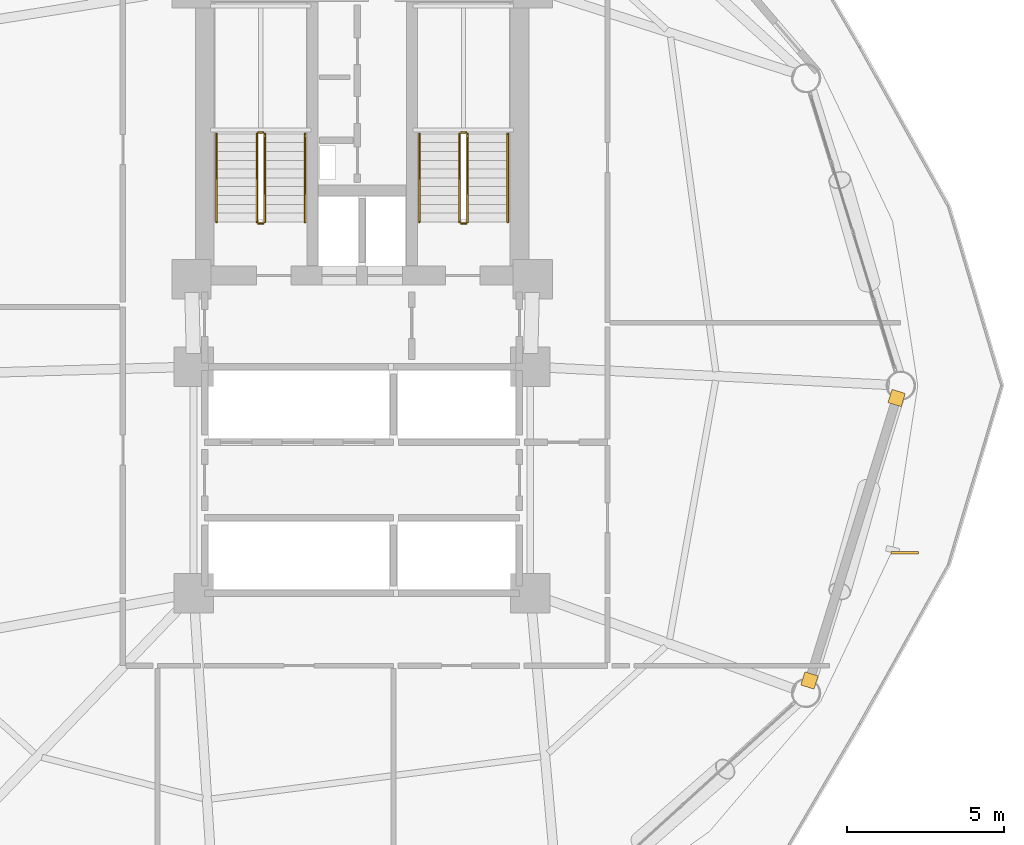
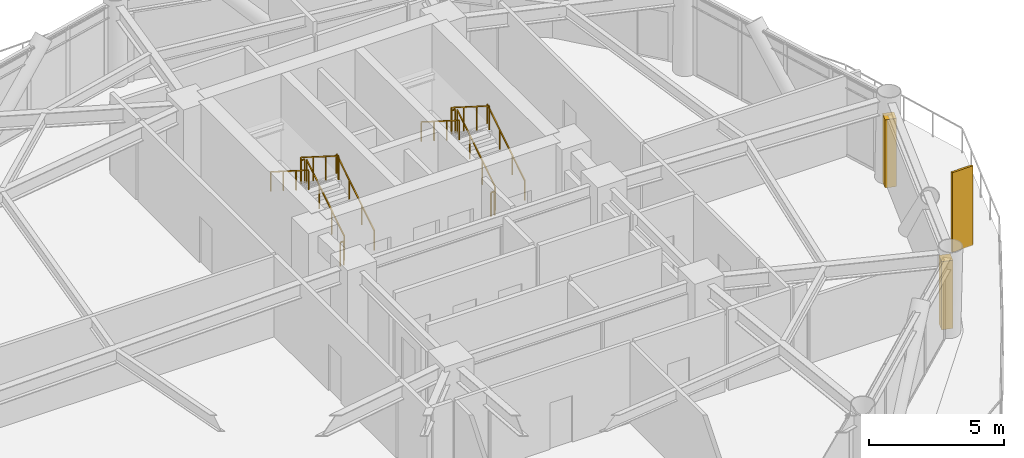
# One storey, part 21 of 22: 12 railings, 2 coverings, 1 shading device.
"""IFC4 building model written with IfcOpenShell, lengths in metres."""

import ifcopenshell
import ifcopenshell.guid

model = None  # the IFC model being written
_history = None  # IfcOwnerHistory: only IFC2X3 demands one
_inside = {}  # id of a spatial element -> (the spatial element, [elements in it])
_under = {}  # id of a project, library or spatial element -> (it, [spatial elements below it])
_declared = {}  # id of a project -> (the project, [libraries it declares])
_typed = {}  # id of a type object -> (the type object, [elements of that type])
_made_of = {}  # id of a material, layer set ... -> (it, [elements and type objects made of it])


def new_model(schema):
    """Start an empty IFC model of exactly this schema.

    Asked for "IFC4X3", IfcOpenShell would pick the latest addendum, in which some entities
    have other attributes; the version numbers below select the first issue.
    IFC2X3 requires an IfcOwnerHistory on every rooted entity: one is made here for all.
    """
    global model, _history
    if schema == "IFC4X3":
        model = ifcopenshell.file(schema_version=(4, 3, 0, 0))
    else:
        model = ifcopenshell.file(schema=schema)
    _inside.clear()
    _under.clear()
    _declared.clear()
    _typed.clear()
    _made_of.clear()
    _history = None
    if model.schema == "IFC2X3":
        org = make("IfcOrganization", Name="unknown")
        user = make(
            "IfcPersonAndOrganization",
            ThePerson=make("IfcPerson", FamilyName="unknown"),
            TheOrganization=org,
        )
        app = make(
            "IfcApplication",
            ApplicationDeveloper=org,
            Version="unknown",
            ApplicationFullName="unknown",
            ApplicationIdentifier="unknown",
        )
        _history = make(
            "IfcOwnerHistory",
            OwningUser=user,
            OwningApplication=app,
            ChangeAction="ADDED",
            CreationDate=0,
        )
    return model


def make(cls, **values):
    """One entity of the class cls with the attributes given. An attribute that is None is left unset."""
    return model.create_entity(
        cls, **{name: value for name, value in values.items() if value is not None}
    )


def rooted(cls, **values):
    """An entity with a GlobalId (a new one), such as an element, a storey or a relation."""
    return make(cls, GlobalId=ifcopenshell.guid.new(), OwnerHistory=_history, **values)


def si_unit(unit_type, name, prefix=None):
    """IfcSIUnit, for example si_unit("LENGTHUNIT", "METRE", prefix="MILLI")."""
    return make("IfcSIUnit", UnitType=unit_type, Prefix=prefix, Name=name)


def assignment(units):
    """IfcUnitAssignment: the units of a project."""
    return None if units is None else make("IfcUnitAssignment", Units=units)


def point(xyz):
    """IfcCartesianPoint."""
    return None if xyz is None else make("IfcCartesianPoint", Coordinates=xyz)


def direction(xyz):
    """IfcDirection."""
    return None if xyz is None else make("IfcDirection", DirectionRatios=xyz)


def frame(location, z_axis=None, x_axis=None):
    """IfcAxis2Placement3D, a coordinate frame: its origin and axes. An axis left out is left unset."""
    return make(
        "IfcAxis2Placement3D",
        Location=point(location),
        Axis=direction(z_axis),
        RefDirection=direction(x_axis),
    )


def frame_2d(location, x_axis=None):
    """IfcAxis2Placement2D, a coordinate frame in the plane: its origin and x axis."""
    return make(
        "IfcAxis2Placement2D", Location=point(location), RefDirection=direction(x_axis)
    )


def origin():
    """The frame at (0, 0, 0) with its axes left unset."""
    return frame((0.0, 0.0, 0.0))


def origin_2d():
    """The frame at (0, 0) in the plane with its x axis left unset."""
    return frame_2d((0.0, 0.0))


def place(relative_to, where):
    """IfcLocalPlacement: puts the frame where relative to a parent placement (None: the world)."""
    return make(
        "IfcLocalPlacement", PlacementRelTo=relative_to, RelativePlacement=where
    )


def context(
    kind, dimensions, precision=None, world=None, true_north=None, identifier=None
):
    """IfcGeometricRepresentationContext, for example the 3D "Model" context."""
    return make(
        "IfcGeometricRepresentationContext",
        ContextIdentifier=identifier,
        ContextType=kind,
        CoordinateSpaceDimension=dimensions,
        Precision=precision,
        WorldCoordinateSystem=world,
        TrueNorth=true_north,
    )


def subcontext(parent, identifier, kind, view, scale=None):
    """IfcGeometricRepresentationSubContext, for example "Body" below "Model"."""
    return make(
        "IfcGeometricRepresentationSubContext",
        ContextIdentifier=identifier,
        ContextType=kind,
        ParentContext=parent,
        TargetScale=scale,
        TargetView=view,
    )


def project(units=None, contexts=None):
    """IfcProject with its units and contexts."""
    return rooted(
        "IfcProject",
        Name="project",
        RepresentationContexts=contexts,
        UnitsInContext=assignment(units),
    )


def spatial(cls, under=None, at=None, **own):
    """A site, building, storey or space (cls), placed at a placement, below another one or the project."""
    s = rooted(cls, ObjectPlacement=at, **own)
    if under is not None:
        _under.setdefault(under.id(), (under, []))[1].append(s)
    return s


def profile(cls, at=None, kind="AREA", **sizes):
    """A parametric profile (cls). Its sizes go by their IFC names, for example OverallWidth=200.0."""
    return make(cls, ProfileType=kind, Position=at, **sizes)


def rectangle(**sizes):
    """IfcRectangleProfileDef."""
    return profile("IfcRectangleProfileDef", **sizes)


def extrude(swept, where, along, depth):
    """IfcExtrudedAreaSolid: the profile swept, set in the frame where, extruded along a direction by depth."""
    return make(
        "IfcExtrudedAreaSolid",
        SweptArea=swept,
        Position=where,
        ExtrudedDirection=direction(along),
        Depth=depth,
    )


def shape(context_of_items, identifier, shape_type, items):
    """IfcShapeRepresentation: the items that make up one representation, for example the "Body"."""
    return make(
        "IfcShapeRepresentation",
        ContextOfItems=context_of_items,
        RepresentationIdentifier=identifier,
        RepresentationType=shape_type,
        Items=items,
    )


def source(mapping_origin, context_of_items, identifier, shape_type, items):
    """IfcRepresentationMap: a shape defined once, which mapped items show again and again."""
    return make(
        "IfcRepresentationMap",
        MappingOrigin=mapping_origin,
        MappedRepresentation=shape(context_of_items, identifier, shape_type, items),
    )


def transform(
    local_origin,
    x_axis=None,
    y_axis=None,
    z_axis=None,
    scale=None,
    scale2=None,
    scale3=None,
    uniform=True,
):
    """IfcCartesianTransformationOperator3D, or its non-uniform kind. x_axis, y_axis, z_axis: its Axis1, 2, 3."""
    if uniform:
        return make(
            "IfcCartesianTransformationOperator3D",
            Axis1=direction(x_axis),
            Axis2=direction(y_axis),
            LocalOrigin=point(local_origin),
            Scale=scale,
            Axis3=direction(z_axis),
        )
    return make(
        "IfcCartesianTransformationOperator3DnonUniform",
        Axis1=direction(x_axis),
        Axis2=direction(y_axis),
        LocalOrigin=point(local_origin),
        Scale=scale,
        Axis3=direction(z_axis),
        Scale2=scale2,
        Scale3=scale3,
    )


def mapped(mapping_source, mapping_target):
    """IfcMappedItem: shows the shape of a source again, moved by a transform."""
    return make(
        "IfcMappedItem", MappingSource=mapping_source, MappingTarget=mapping_target
    )


def material(Name=None, Category=None):
    """IfcMaterial."""
    return make("IfcMaterial", Name=Name, Category=Category)


def layer(
    of_material, thickness, ventilated=None, Name=None, Category=None, Priority=None
):
    """IfcMaterialLayer: one layer of a wall or slab, of a material (None: an air gap)."""
    return make(
        "IfcMaterialLayer",
        Material=of_material,
        LayerThickness=thickness,
        IsVentilated=ventilated,
        Name=Name,
        Category=Category,
        Priority=Priority,
    )


def layer_set(layers, Name=None):
    """IfcMaterialLayerSet."""
    return make("IfcMaterialLayerSet", MaterialLayers=layers, LayerSetName=Name)


def made_of(thing, what):
    """Note that an element or type object is made of a material, layer set ...; save() writes the relation."""
    if what is not None:
        _made_of.setdefault(what.id(), (what, []))[1].append(thing)
    return thing


def type_object(cls, material=None, **own):
    """A type object (cls), such as IfcWallType, which elements share."""
    return made_of(rooted(cls, **own), material)


def type_shapes(of_type, sources):
    """Give a type object the sources (RepresentationMaps) that its elements show as mapped items."""
    of_type.RepresentationMaps = sources


def element(
    cls,
    number,
    at=None,
    inside=None,
    cuts=None,
    type_object=None,
    material=None,
    context=None,
    identifier="Body",
    shape_type=None,
    held_by="IfcProductDefinitionShape",
    body=None,
    shapes=None,
    **own,
):
    """One element of the class cls, such as IfcWall. Its Tag is "e" and its number.

    at: its placement. inside: the storey or other place that contains it. cuts: it is an
    opening in that element (IfcRelVoidsElement). A single representation is given by context,
    identifier, shape_type and body (its items); several are given by shapes. held_by: the class
    of the entity that holds the representations. save() writes the other relations.
    """
    e = rooted(cls, Tag="e%d" % number, ObjectPlacement=at, **own)
    if body is not None:
        shapes = [shape(context, identifier, shape_type, body)]
    if shapes is not None:
        e.Representation = make(held_by, Representations=shapes)
    if inside is not None:
        _inside.setdefault(inside.id(), (inside, []))[1].append(e)
    if cuts is not None:
        rooted(
            "IfcRelVoidsElement", RelatingBuildingElement=cuts, RelatedOpeningElement=e
        )
    if type_object is not None:
        _typed.setdefault(type_object.id(), (type_object, []))[1].append(e)
    return made_of(e, material)


def aggregate(whole, parts):
    """IfcRelAggregates: a whole, such as a stair, and the parts it consists of."""
    return rooted("IfcRelAggregates", RelatingObject=whole, RelatedObjects=parts)


def save(model, path):
    """Write the relations noted so far, then the file.

    IfcRelAggregates (storeys below a building ...), IfcRelContainedInSpatialStructure (elements
    in a storey), IfcRelDefinesByType, IfcRelAssociatesMaterial and IfcRelDeclares: one each for
    every whole, place, type object, material and project.
    """
    for whole, parts in _under.values():
        aggregate(whole, parts)
    for where, things in _inside.values():
        rooted(
            "IfcRelContainedInSpatialStructure",
            RelatedElements=things,
            RelatingStructure=where,
        )
    for kind, things in _typed.values():
        rooted("IfcRelDefinesByType", RelatedObjects=things, RelatingType=kind)
    for what, things in _made_of.values():
        rooted("IfcRelAssociatesMaterial", RelatedObjects=things, RelatingMaterial=what)
    for by, libraries in _declared.values():
        rooted("IfcRelDeclares", RelatingContext=by, RelatedDefinitions=libraries)
    model.write(path)


model = new_model("IFC4")

# Units and contexts
model_context = context("Model", 3, precision=1e-05, world=origin(), true_north=direction((0.0, 1.0)))
body_context = subcontext(model_context, "Body", "Model", "MODEL_VIEW")
ifc_project = project(units=[si_unit("LENGTHUNIT", "METRE"), si_unit("AREAUNIT", "SQUARE_METRE"), si_unit("VOLUMEUNIT", "CUBIC_METRE"), si_unit("PLANEANGLEUNIT", "RADIAN"), si_unit("MASSUNIT", "GRAM", prefix="KILO")], contexts=[model_context])

# Site, building, storey
site_placement = place(None, origin())
site = spatial("IfcSite", under=ifc_project, at=site_placement, CompositionType="ELEMENT")
building_placement = place(site_placement, origin())
building = spatial("IfcBuilding", under=site, at=building_placement, Name="Varnakorn Sky Granary", CompositionType="ELEMENT")
storey_placement = place(building_placement, frame((0.0, 0.0, 66.60009765625)))
storey = spatial("IfcBuildingStorey", under=building, at=storey_placement, Name="L16", CompositionType="ELEMENT", Elevation=66.60009765625)

# Railings
ifc_material_1 = material(Name="Brushed Stainless Steel 316", Category="steel")
railing_type_1 = type_object("IfcRailingType", Name="RL-STAIR-1100", PredefinedType="GUARDRAIL", material=ifc_material_1)
railing_1_placement = place(storey_placement, frame((-0.090087890625, 5.199951171875, 0.17724609375)))
element("IfcRailing", 1, at=railing_1_placement, inside=storey, type_object=railing_type_1, Name="L16 ST-1 stair guard 1", PredefinedType="GUARDRAIL", context=body_context, shape_type="SweptSolid", body=[
    extrude(rectangle(XDim=0.048095703125, YDim=0.048095703125, at=origin_2d()), frame((0.0, 0.0, 1.076171875), z_axis=(0.0, 0.844908973607, 0.534910110503), x_axis=(-1.0, 0.0, 0.0)), (0.0, 0.0, 1.0), 3.31396484375),
    extrude(rectangle(XDim=0.0419921875, YDim=0.0419921875, at=origin_2d()), origin(), (0.0, 0.0, 1.0), 1.048095703125),
    extrude(rectangle(XDim=0.0419921875, YDim=0.0419921875, at=origin_2d()), frame((0.0, 0.933349609375, 0.5908203125)), (0.0, 0.0, 1.0), 1.048095703125),
    extrude(rectangle(XDim=0.0419921875, YDim=0.0419921875, at=origin_2d()), frame((0.0, 1.86669921875, 1.181884765625)), (0.0, 0.0, 1.0), 1.048095703125),
    extrude(rectangle(XDim=0.0419921875, YDim=0.0419921875, at=origin_2d()), frame((0.0, 2.800048828125, 1.772705078125)), (0.0, 0.0, 1.0), 1.048095703125),
])
railing_2_placement = place(storey_placement, frame((-0.139892578125, 8.050048828125, 1.949951171875)))
element("IfcRailing", 2, at=railing_2_placement, inside=storey, type_object=railing_type_1, Name="L16 ST-1 stair guard 2", PredefinedType="GUARDRAIL", context=body_context, shape_type="SweptSolid", body=[
    extrude(rectangle(XDim=0.048095703125, YDim=0.048095703125, at=origin_2d()), frame((0.0, 0.0, 1.076171875), z_axis=(-1.0, 0.0, 0.0), x_axis=(0.0, -1.0, 0.0)), (0.0, 0.0, 1.0), 0.150146484375),
    extrude(rectangle(XDim=0.0419921875, YDim=0.0419921875, at=origin_2d()), origin(), (0.0, 0.0, 1.0), 1.048095703125),
    extrude(rectangle(XDim=0.0419921875, YDim=0.0419921875, at=origin_2d()), frame((-0.150146484375, 0.0, 0.0)), (0.0, 0.0, 1.0), 1.048095703125),
])
railing_3_placement = place(storey_placement, frame((-0.340087890625, 8.0, 2.127197265625)))
element("IfcRailing", 3, at=railing_3_placement, inside=storey, type_object=railing_type_1, Name="L16 ST-1 stair guard 3", PredefinedType="GUARDRAIL", context=body_context, shape_type="SweptSolid", body=[
    extrude(rectangle(XDim=0.048095703125, YDim=0.048095703125, at=origin_2d()), frame((0.0, 0.0, 1.076171875), z_axis=(0.0, -0.844908973607, 0.534910110503), x_axis=(1.0, 0.0, 0.0)), (0.0, 0.0, 1.0), 3.31396484375),
    extrude(rectangle(XDim=0.0419921875, YDim=0.0419921875, at=origin_2d()), origin(), (0.0, 0.0, 1.0), 1.048095703125),
    extrude(rectangle(XDim=0.0419921875, YDim=0.0419921875, at=origin_2d()), frame((0.0, -0.933349609375, 0.5908203125)), (0.0, 0.0, 1.0), 1.048095703125),
    extrude(rectangle(XDim=0.0419921875, YDim=0.0419921875, at=origin_2d()), frame((0.0, -1.86669921875, 1.181884765625)), (0.0, 0.0, 1.0), 1.048095703125),
    extrude(rectangle(XDim=0.0419921875, YDim=0.0419921875, at=origin_2d()), frame((0.0, -2.800048828125, 1.772705078125)), (0.0, 0.0, 1.0), 1.048095703125),
])
railing_4_placement = place(storey_placement, frame((-0.139892578125, 5.14990234375, 0.0)))
element("IfcRailing", 4, at=railing_4_placement, inside=storey, type_object=railing_type_1, Name="L16 ST-1 stair guard 4", PredefinedType="GUARDRAIL", context=body_context, shape_type="SweptSolid", body=[
    extrude(rectangle(XDim=0.048095703125, YDim=0.048095703125, at=origin_2d()), frame((0.0, 0.0, 1.076171875), z_axis=(-1.0, 0.0, 0.0), x_axis=(0.0, -1.0, 0.0)), (0.0, 0.0, 1.0), 0.150146484375),
    extrude(rectangle(XDim=0.0419921875, YDim=0.0419921875, at=origin_2d()), origin(), (0.0, 0.0, 1.0), 1.048095703125),
    extrude(rectangle(XDim=0.0419921875, YDim=0.0419921875, at=origin_2d()), frame((-0.150146484375, 0.0, 0.0)), (0.0, 0.0, 1.0), 1.048095703125),
])
railing_5_placement = place(storey_placement, frame((6.35009765625, 5.199951171875, 0.17724609375)))
element("IfcRailing", 5, at=railing_5_placement, inside=storey, type_object=railing_type_1, Name="L16 ST-2 stair guard 1", PredefinedType="GUARDRAIL", context=body_context, shape_type="SweptSolid", body=[
    extrude(rectangle(XDim=0.048095703125, YDim=0.048095703125, at=origin_2d()), frame((0.0, 0.0, 1.076171875), z_axis=(0.0, 0.844908973607, 0.534910110503), x_axis=(-1.0, 0.0, 0.0)), (0.0, 0.0, 1.0), 3.31396484375),
    extrude(rectangle(XDim=0.0419921875, YDim=0.0419921875, at=origin_2d()), origin(), (0.0, 0.0, 1.0), 1.048095703125),
    extrude(rectangle(XDim=0.0419921875, YDim=0.0419921875, at=origin_2d()), frame((0.0, 0.933349609375, 0.5908203125)), (0.0, 0.0, 1.0), 1.048095703125),
    extrude(rectangle(XDim=0.0419921875, YDim=0.0419921875, at=origin_2d()), frame((0.0, 1.86669921875, 1.181884765625)), (0.0, 0.0, 1.0), 1.048095703125),
    extrude(rectangle(XDim=0.0419921875, YDim=0.0419921875, at=origin_2d()), frame((0.0, 2.800048828125, 1.772705078125)), (0.0, 0.0, 1.0), 1.048095703125),
])
railing_6_placement = place(storey_placement, frame((6.300048828125, 8.050048828125, 1.949951171875)))
element("IfcRailing", 6, at=railing_6_placement, inside=storey, type_object=railing_type_1, Name="L16 ST-2 stair guard 2", PredefinedType="GUARDRAIL", context=body_context, shape_type="SweptSolid", body=[
    extrude(rectangle(XDim=0.048095703125, YDim=0.048095703125, at=origin_2d()), frame((0.0, 0.0, 1.076171875), z_axis=(-1.0, 0.0, 0.0), x_axis=(0.0, -1.0, 0.0)), (0.0, 0.0, 1.0), 0.150146484375),
    extrude(rectangle(XDim=0.0419921875, YDim=0.0419921875, at=origin_2d()), origin(), (0.0, 0.0, 1.0), 1.048095703125),
    extrude(rectangle(XDim=0.0419921875, YDim=0.0419921875, at=origin_2d()), frame((-0.150146484375, 0.0, 0.0)), (0.0, 0.0, 1.0), 1.048095703125),
])
railing_7_placement = place(storey_placement, frame((6.10009765625, 8.0, 2.127197265625)))
element("IfcRailing", 7, at=railing_7_placement, inside=storey, type_object=railing_type_1, Name="L16 ST-2 stair guard 3", PredefinedType="GUARDRAIL", context=body_context, shape_type="SweptSolid", body=[
    extrude(rectangle(XDim=0.048095703125, YDim=0.048095703125, at=origin_2d()), frame((0.0, 0.0, 1.076171875), z_axis=(0.0, -0.844908973607, 0.534910110503), x_axis=(1.0, 0.0, 0.0)), (0.0, 0.0, 1.0), 3.31396484375),
    extrude(rectangle(XDim=0.0419921875, YDim=0.0419921875, at=origin_2d()), origin(), (0.0, 0.0, 1.0), 1.048095703125),
    extrude(rectangle(XDim=0.0419921875, YDim=0.0419921875, at=origin_2d()), frame((0.0, -0.933349609375, 0.5908203125)), (0.0, 0.0, 1.0), 1.048095703125),
    extrude(rectangle(XDim=0.0419921875, YDim=0.0419921875, at=origin_2d()), frame((0.0, -1.86669921875, 1.181884765625)), (0.0, 0.0, 1.0), 1.048095703125),
    extrude(rectangle(XDim=0.0419921875, YDim=0.0419921875, at=origin_2d()), frame((0.0, -2.800048828125, 1.772705078125)), (0.0, 0.0, 1.0), 1.048095703125),
])
railing_8_placement = place(storey_placement, frame((6.300048828125, 5.14990234375, 0.0)))
element("IfcRailing", 8, at=railing_8_placement, inside=storey, type_object=railing_type_1, Name="L16 ST-2 stair guard 4", PredefinedType="GUARDRAIL", context=body_context, shape_type="SweptSolid", body=[
    extrude(rectangle(XDim=0.048095703125, YDim=0.048095703125, at=origin_2d()), frame((0.0, 0.0, 1.076171875), z_axis=(-1.0, 0.0, 0.0), x_axis=(0.0, -1.0, 0.0)), (0.0, 0.0, 1.0), 0.150146484375),
    extrude(rectangle(XDim=0.0419921875, YDim=0.0419921875, at=origin_2d()), origin(), (0.0, 0.0, 1.0), 1.048095703125),
    extrude(rectangle(XDim=0.0419921875, YDim=0.0419921875, at=origin_2d()), frame((-0.150146484375, 0.0, 0.0)), (0.0, 0.0, 1.0), 1.048095703125),
])
railing_type_2 = type_object("IfcRailingType", Name="RL-STAIR-920", PredefinedType="HANDRAIL", material=ifc_material_1)
railing_9_placement = place(storey_placement, frame((1.18994140625, 5.199951171875, 0.17724609375)))
element("IfcRailing", 9, at=railing_9_placement, inside=storey, type_object=railing_type_2, Name="L16 ST-1 stair handrail 1", PredefinedType="HANDRAIL", context=body_context, shape_type="SweptSolid", body=[
    extrude(rectangle(XDim=0.048095703125, YDim=0.048095703125, at=origin_2d()), frame((0.0, 0.0, 0.8759765625), z_axis=(0.0, 0.844908973607, 0.534910110503), x_axis=(-1.0, 0.0, 0.0)), (0.0, 0.0, 1.0), 3.31396484375),
    extrude(rectangle(XDim=0.0419921875, YDim=0.0419921875, at=origin_2d()), origin(), (0.0, 0.0, 1.0), 0.847900390625),
    extrude(rectangle(XDim=0.0419921875, YDim=0.0419921875, at=origin_2d()), frame((0.0, 0.933349609375, 0.5908203125)), (0.0, 0.0, 1.0), 0.847900390625),
    extrude(rectangle(XDim=0.0419921875, YDim=0.0419921875, at=origin_2d()), frame((0.0, 1.86669921875, 1.181884765625)), (0.0, 0.0, 1.0), 0.847900390625),
    extrude(rectangle(XDim=0.0419921875, YDim=0.0419921875, at=origin_2d()), frame((0.0, 2.800048828125, 1.772705078125)), (0.0, 0.0, 1.0), 0.847900390625),
])
railing_10_placement = place(storey_placement, frame((-1.6201171875, 8.0, 2.127197265625)))
element("IfcRailing", 10, at=railing_10_placement, inside=storey, type_object=railing_type_2, Name="L16 ST-1 stair handrail 2", PredefinedType="HANDRAIL", context=body_context, shape_type="SweptSolid", body=[
    extrude(rectangle(XDim=0.048095703125, YDim=0.048095703125, at=origin_2d()), frame((0.0, 0.0, 0.8759765625), z_axis=(0.0, -0.844908973607, 0.534910110503), x_axis=(1.0, 0.0, 0.0)), (0.0, 0.0, 1.0), 3.31396484375),
    extrude(rectangle(XDim=0.0419921875, YDim=0.0419921875, at=origin_2d()), origin(), (0.0, 0.0, 1.0), 0.847900390625),
    extrude(rectangle(XDim=0.0419921875, YDim=0.0419921875, at=origin_2d()), frame((0.0, -0.933349609375, 0.5908203125)), (0.0, 0.0, 1.0), 0.847900390625),
    extrude(rectangle(XDim=0.0419921875, YDim=0.0419921875, at=origin_2d()), frame((0.0, -1.86669921875, 1.181884765625)), (0.0, 0.0, 1.0), 0.847900390625),
    extrude(rectangle(XDim=0.0419921875, YDim=0.0419921875, at=origin_2d()), frame((0.0, -2.800048828125, 1.772705078125)), (0.0, 0.0, 1.0), 0.847900390625),
])
railing_11_placement = place(storey_placement, frame((7.6298828125, 5.199951171875, 0.17724609375)))
element("IfcRailing", 11, at=railing_11_placement, inside=storey, type_object=railing_type_2, Name="L16 ST-2 stair handrail 1", PredefinedType="HANDRAIL", context=body_context, shape_type="SweptSolid", body=[
    extrude(rectangle(XDim=0.048095703125, YDim=0.048095703125, at=origin_2d()), frame((0.0, 0.0, 0.8759765625), z_axis=(0.0, 0.844908973607, 0.534910110503), x_axis=(-1.0, 0.0, 0.0)), (0.0, 0.0, 1.0), 3.31396484375),
    extrude(rectangle(XDim=0.0419921875, YDim=0.0419921875, at=origin_2d()), origin(), (0.0, 0.0, 1.0), 0.847900390625),
    extrude(rectangle(XDim=0.0419921875, YDim=0.0419921875, at=origin_2d()), frame((0.0, 0.933349609375, 0.5908203125)), (0.0, 0.0, 1.0), 0.847900390625),
    extrude(rectangle(XDim=0.0419921875, YDim=0.0419921875, at=origin_2d()), frame((0.0, 1.86669921875, 1.181884765625)), (0.0, 0.0, 1.0), 0.847900390625),
    extrude(rectangle(XDim=0.0419921875, YDim=0.0419921875, at=origin_2d()), frame((0.0, 2.800048828125, 1.772705078125)), (0.0, 0.0, 1.0), 0.847900390625),
])
railing_12_placement = place(storey_placement, frame((4.820068359375, 8.0, 2.127197265625)))
element("IfcRailing", 12, at=railing_12_placement, inside=storey, type_object=railing_type_2, Name="L16 ST-2 stair handrail 2", PredefinedType="HANDRAIL", context=body_context, shape_type="SweptSolid", body=[
    extrude(rectangle(XDim=0.048095703125, YDim=0.048095703125, at=origin_2d()), frame((0.0, 0.0, 0.8759765625), z_axis=(0.0, -0.844908973607, 0.534910110503), x_axis=(1.0, 0.0, 0.0)), (0.0, 0.0, 1.0), 3.31396484375),
    extrude(rectangle(XDim=0.0419921875, YDim=0.0419921875, at=origin_2d()), origin(), (0.0, 0.0, 1.0), 0.847900390625),
    extrude(rectangle(XDim=0.0419921875, YDim=0.0419921875, at=origin_2d()), frame((0.0, -0.933349609375, 0.5908203125)), (0.0, 0.0, 1.0), 0.847900390625),
    extrude(rectangle(XDim=0.0419921875, YDim=0.0419921875, at=origin_2d()), frame((0.0, -1.86669921875, 1.181884765625)), (0.0, 0.0, 1.0), 0.847900390625),
    extrude(rectangle(XDim=0.0419921875, YDim=0.0419921875, at=origin_2d()), frame((0.0, -2.800048828125, 1.772705078125)), (0.0, 0.0, 1.0), 0.847900390625),
])

# Shading device
ifc_material_2 = material(Name="Anodised Bronze Aluminium Alloy 6063-T6", Category="aluminium")
shading_device_type = type_object("IfcShadingDeviceType", Name="SH-FIN-01", PredefinedType="USERDEFINED", material=ifc_material_2)
shared_shape_1 = source(origin(), body_context, "Body", "SweptSolid", [
    extrude(rectangle(XDim=0.0849609375, YDim=0.8798828125, at=origin_2d()), origin(), (0.0, 0.0, 1.0), 3.60009765625),
])
type_shapes(shading_device_type, [shared_shape_1])
shading_device_placement = place(storey_placement, frame((20.249755859375, -5.31201171875, -0.0400390625), z_axis=(0.0, 0.0, 1.0), x_axis=(-0.00827704452, 0.99996574468, 0.0)))
element("IfcShadingDevice", 13, at=shading_device_placement, inside=storey, type_object=shading_device_type, Name="Bronze Solar-Tracking Vertical Blade FIN L16-12", ObjectType="FIN", PredefinedType="USERDEFINED", context=body_context, shape_type="MappedRepresentation", body=[
    mapped(shared_shape_1, transform((0.0, 0.0, 0.0), x_axis=(1.0, 0.0, 0.0), y_axis=(0.0, 1.0, 0.0), z_axis=(0.0, 0.0, 1.0), scale=1.0)),
])

# Coverings
ifc_layer = layer(ifc_material_2, 0.050048828125, Name="Anodised Bronze Aluminium Alloy 6063-T6")
ifc_layer_set = layer_set([ifc_layer], Name="Anodised Bronze Aluminium Alloy 6063-T6")
covering_type = type_object("IfcCoveringType", Name="CV-CLAD-50", PredefinedType="CLADDING", material=ifc_layer_set)
shared_shape_2 = source(origin(), body_context, "Body", "SweptSolid", [
    extrude(rectangle(XDim=0.43994140625, YDim=0.43994140625, at=origin_2d()), origin(), (0.0, 0.0, 1.0), 3.080078125),
])
type_shapes(covering_type, [shared_shape_2])
for number, where, z_axis, x_axis, name in (
    (14, (19.987548828125, -0.393798828125, -0.02001953125), (0.0, 0.0, 1.0), (-0.294707522925, -0.955587503022, 0.0), "Bronze Corner Pilaster Closure L16-P12-A"),
    (15, (17.218505859375, -9.369873046875, -0.02001953125), (0.0, 0.0, 1.0), (-0.294707522925, -0.955587503022, 0.0), "Bronze Corner Pilaster Closure L16-P12-B"),
):
    element("IfcCovering", number, at=place(storey_placement, frame(where, z_axis=z_axis, x_axis=x_axis)), inside=storey, type_object=covering_type, Name=name, PredefinedType="CLADDING", context=body_context, shape_type="MappedRepresentation", body=[
        mapped(shared_shape_2, transform((0.0, 0.0, 0.0), x_axis=(1.0, 0.0, 0.0), y_axis=(0.0, 1.0, 0.0), z_axis=(0.0, 0.0, 1.0), scale=1.0)),
    ])

save(model, "model.ifc")
